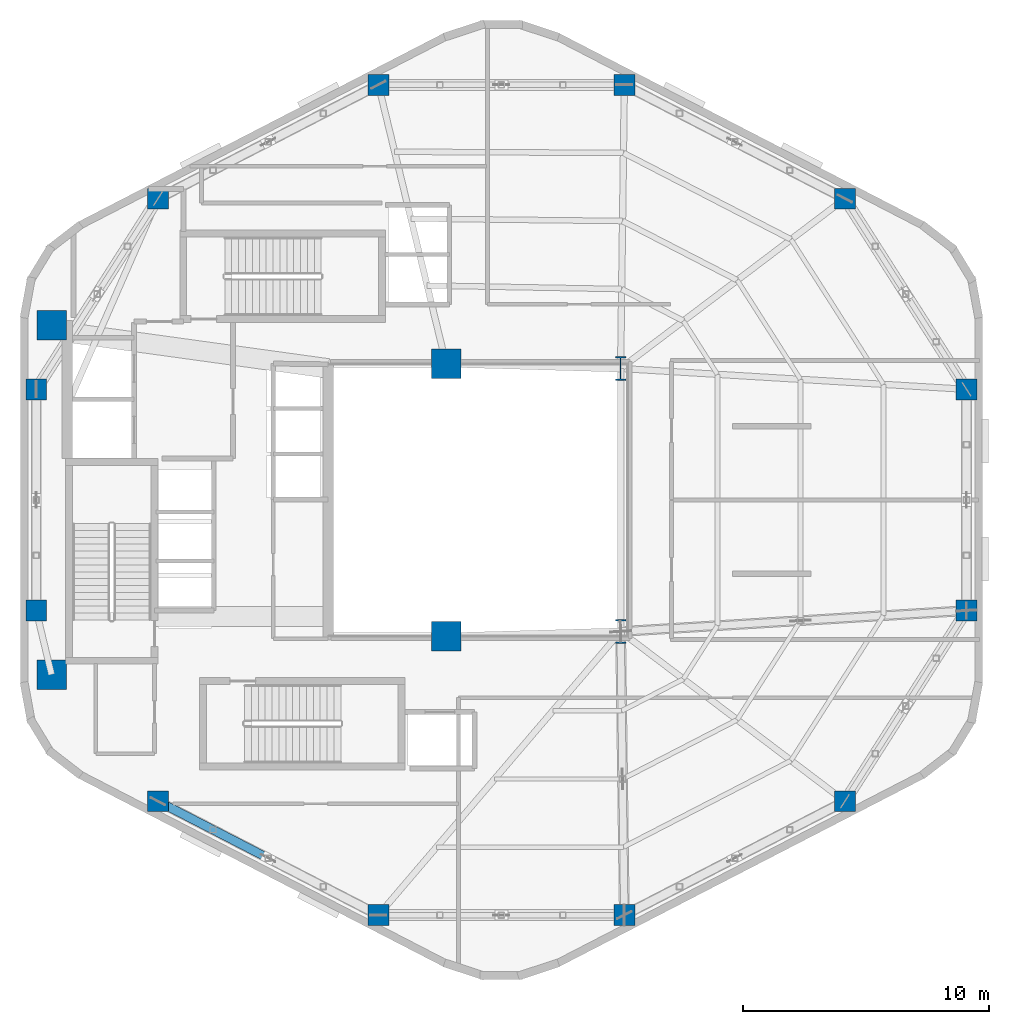
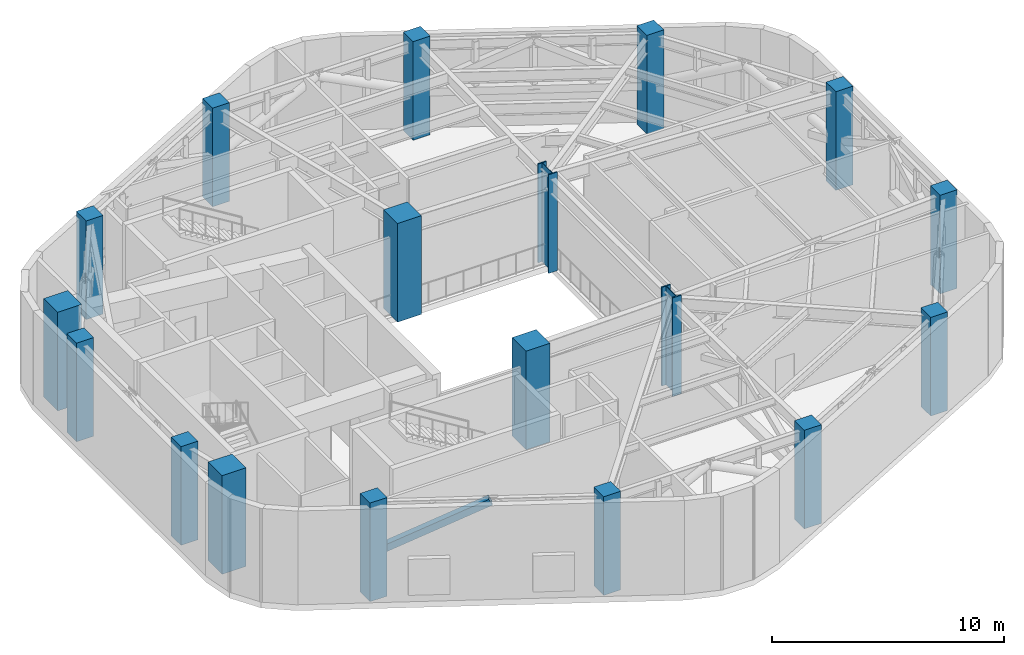
# One storey, part 1 of 10: 18 columns, 1 member.
"""IFC4 building model written with IfcOpenShell, lengths in metres."""

import ifcopenshell
import ifcopenshell.guid

model = None  # the IFC model being written
_history = None  # IfcOwnerHistory: only IFC2X3 demands one
_inside = {}  # id of a spatial element -> (the spatial element, [elements in it])
_under = {}  # id of a project, library or spatial element -> (it, [spatial elements below it])
_declared = {}  # id of a project -> (the project, [libraries it declares])
_typed = {}  # id of a type object -> (the type object, [elements of that type])
_made_of = {}  # id of a material, layer set ... -> (it, [elements and type objects made of it])


def new_model(schema):
    """Start an empty IFC model of exactly this schema.

    Asked for "IFC4X3", IfcOpenShell would pick the latest addendum, in which some entities
    have other attributes; the version numbers below select the first issue.
    IFC2X3 requires an IfcOwnerHistory on every rooted entity: one is made here for all.
    """
    global model, _history
    if schema == "IFC4X3":
        model = ifcopenshell.file(schema_version=(4, 3, 0, 0))
    else:
        model = ifcopenshell.file(schema=schema)
    _inside.clear()
    _under.clear()
    _declared.clear()
    _typed.clear()
    _made_of.clear()
    _history = None
    if model.schema == "IFC2X3":
        org = make("IfcOrganization", Name="unknown")
        user = make(
            "IfcPersonAndOrganization",
            ThePerson=make("IfcPerson", FamilyName="unknown"),
            TheOrganization=org,
        )
        app = make(
            "IfcApplication",
            ApplicationDeveloper=org,
            Version="unknown",
            ApplicationFullName="unknown",
            ApplicationIdentifier="unknown",
        )
        _history = make(
            "IfcOwnerHistory",
            OwningUser=user,
            OwningApplication=app,
            ChangeAction="ADDED",
            CreationDate=0,
        )
    return model


def make(cls, **values):
    """One entity of the class cls with the attributes given. An attribute that is None is left unset."""
    return model.create_entity(
        cls, **{name: value for name, value in values.items() if value is not None}
    )


def rooted(cls, **values):
    """An entity with a GlobalId (a new one), such as an element, a storey or a relation."""
    return make(cls, GlobalId=ifcopenshell.guid.new(), OwnerHistory=_history, **values)


def si_unit(unit_type, name, prefix=None):
    """IfcSIUnit, for example si_unit("LENGTHUNIT", "METRE", prefix="MILLI")."""
    return make("IfcSIUnit", UnitType=unit_type, Prefix=prefix, Name=name)


def assignment(units):
    """IfcUnitAssignment: the units of a project."""
    return None if units is None else make("IfcUnitAssignment", Units=units)


def point(xyz):
    """IfcCartesianPoint."""
    return None if xyz is None else make("IfcCartesianPoint", Coordinates=xyz)


def direction(xyz):
    """IfcDirection."""
    return None if xyz is None else make("IfcDirection", DirectionRatios=xyz)


def frame(location, z_axis=None, x_axis=None):
    """IfcAxis2Placement3D, a coordinate frame: its origin and axes. An axis left out is left unset."""
    return make(
        "IfcAxis2Placement3D",
        Location=point(location),
        Axis=direction(z_axis),
        RefDirection=direction(x_axis),
    )


def frame_2d(location, x_axis=None):
    """IfcAxis2Placement2D, a coordinate frame in the plane: its origin and x axis."""
    return make(
        "IfcAxis2Placement2D", Location=point(location), RefDirection=direction(x_axis)
    )


def origin():
    """The frame at (0, 0, 0) with its axes left unset."""
    return frame((0.0, 0.0, 0.0))


def origin_2d():
    """The frame at (0, 0) in the plane with its x axis left unset."""
    return frame_2d((0.0, 0.0))


def place(relative_to, where):
    """IfcLocalPlacement: puts the frame where relative to a parent placement (None: the world)."""
    return make(
        "IfcLocalPlacement", PlacementRelTo=relative_to, RelativePlacement=where
    )


def context(
    kind, dimensions, precision=None, world=None, true_north=None, identifier=None
):
    """IfcGeometricRepresentationContext, for example the 3D "Model" context."""
    return make(
        "IfcGeometricRepresentationContext",
        ContextIdentifier=identifier,
        ContextType=kind,
        CoordinateSpaceDimension=dimensions,
        Precision=precision,
        WorldCoordinateSystem=world,
        TrueNorth=true_north,
    )


def subcontext(parent, identifier, kind, view, scale=None):
    """IfcGeometricRepresentationSubContext, for example "Body" below "Model"."""
    return make(
        "IfcGeometricRepresentationSubContext",
        ContextIdentifier=identifier,
        ContextType=kind,
        ParentContext=parent,
        TargetScale=scale,
        TargetView=view,
    )


def project(units=None, contexts=None):
    """IfcProject with its units and contexts."""
    return rooted(
        "IfcProject",
        Name="project",
        RepresentationContexts=contexts,
        UnitsInContext=assignment(units),
    )


def spatial(cls, under=None, at=None, **own):
    """A site, building, storey or space (cls), placed at a placement, below another one or the project."""
    s = rooted(cls, ObjectPlacement=at, **own)
    if under is not None:
        _under.setdefault(under.id(), (under, []))[1].append(s)
    return s


def profile(cls, at=None, kind="AREA", **sizes):
    """A parametric profile (cls). Its sizes go by their IFC names, for example OverallWidth=200.0."""
    return make(cls, ProfileType=kind, Position=at, **sizes)


def rectangle(**sizes):
    """IfcRectangleProfileDef."""
    return profile("IfcRectangleProfileDef", **sizes)


def hollow_rectangle(**sizes):
    """IfcRectangleHollowProfileDef."""
    return profile("IfcRectangleHollowProfileDef", **sizes)


def i_section(**sizes):
    """IfcIShapeProfileDef."""
    return profile("IfcIShapeProfileDef", **sizes)


def extrude(swept, where, along, depth):
    """IfcExtrudedAreaSolid: the profile swept, set in the frame where, extruded along a direction by depth."""
    return make(
        "IfcExtrudedAreaSolid",
        SweptArea=swept,
        Position=where,
        ExtrudedDirection=direction(along),
        Depth=depth,
    )


def shape(context_of_items, identifier, shape_type, items):
    """IfcShapeRepresentation: the items that make up one representation, for example the "Body"."""
    return make(
        "IfcShapeRepresentation",
        ContextOfItems=context_of_items,
        RepresentationIdentifier=identifier,
        RepresentationType=shape_type,
        Items=items,
    )


def material(Name=None, Category=None):
    """IfcMaterial."""
    return make("IfcMaterial", Name=Name, Category=Category)


def material_profile(
    of_material, cross_section, Name=None, Category=None, Priority=None
):
    """IfcMaterialProfile: a cross section and its material."""
    return make(
        "IfcMaterialProfile",
        Name=Name,
        Material=of_material,
        Profile=cross_section,
        Priority=Priority,
        Category=Category,
    )


def profile_set(profiles, Name=None, composite=None):
    """IfcMaterialProfileSet."""
    return make(
        "IfcMaterialProfileSet",
        Name=Name,
        MaterialProfiles=profiles,
        CompositeProfile=composite,
    )


def made_of(thing, what):
    """Note that an element or type object is made of a material, layer set ...; save() writes the relation."""
    if what is not None:
        _made_of.setdefault(what.id(), (what, []))[1].append(thing)
    return thing


def type_object(cls, material=None, **own):
    """A type object (cls), such as IfcWallType, which elements share."""
    return made_of(rooted(cls, **own), material)


def element(
    cls,
    number,
    at=None,
    inside=None,
    cuts=None,
    type_object=None,
    material=None,
    context=None,
    identifier="Body",
    shape_type=None,
    held_by="IfcProductDefinitionShape",
    body=None,
    shapes=None,
    **own,
):
    """One element of the class cls, such as IfcWall. Its Tag is "e" and its number.

    at: its placement. inside: the storey or other place that contains it. cuts: it is an
    opening in that element (IfcRelVoidsElement). A single representation is given by context,
    identifier, shape_type and body (its items); several are given by shapes. held_by: the class
    of the entity that holds the representations. save() writes the other relations.
    """
    e = rooted(cls, Tag="e%d" % number, ObjectPlacement=at, **own)
    if body is not None:
        shapes = [shape(context, identifier, shape_type, body)]
    if shapes is not None:
        e.Representation = make(held_by, Representations=shapes)
    if inside is not None:
        _inside.setdefault(inside.id(), (inside, []))[1].append(e)
    if cuts is not None:
        rooted(
            "IfcRelVoidsElement", RelatingBuildingElement=cuts, RelatedOpeningElement=e
        )
    if type_object is not None:
        _typed.setdefault(type_object.id(), (type_object, []))[1].append(e)
    return made_of(e, material)


def aggregate(whole, parts):
    """IfcRelAggregates: a whole, such as a stair, and the parts it consists of."""
    return rooted("IfcRelAggregates", RelatingObject=whole, RelatedObjects=parts)


def save(model, path):
    """Write the relations noted so far, then the file.

    IfcRelAggregates (storeys below a building ...), IfcRelContainedInSpatialStructure (elements
    in a storey), IfcRelDefinesByType, IfcRelAssociatesMaterial and IfcRelDeclares: one each for
    every whole, place, type object, material and project.
    """
    for whole, parts in _under.values():
        aggregate(whole, parts)
    for where, things in _inside.values():
        rooted(
            "IfcRelContainedInSpatialStructure",
            RelatedElements=things,
            RelatingStructure=where,
        )
    for kind, things in _typed.values():
        rooted("IfcRelDefinesByType", RelatedObjects=things, RelatingType=kind)
    for what, things in _made_of.values():
        rooted("IfcRelAssociatesMaterial", RelatedObjects=things, RelatingMaterial=what)
    for by, libraries in _declared.values():
        rooted("IfcRelDeclares", RelatingContext=by, RelatedDefinitions=libraries)
    model.write(path)


model = new_model("IFC4")

# Units and contexts
model_context = context("Model", 3, precision=1e-05, world=origin(), true_north=direction((0.0, 1.0)))
body_context = subcontext(model_context, "Body", "Model", "MODEL_VIEW")
ifc_project = project(units=[si_unit("LENGTHUNIT", "METRE"), si_unit("AREAUNIT", "SQUARE_METRE"), si_unit("VOLUMEUNIT", "CUBIC_METRE"), si_unit("PLANEANGLEUNIT", "RADIAN"), si_unit("MASSUNIT", "GRAM", prefix="KILO"), si_unit("THERMODYNAMICTEMPERATUREUNIT", "KELVIN"), si_unit("POWERUNIT", "WATT")], contexts=[model_context])

# Site, building, storey
site_placement = place(None, origin())
site = spatial("IfcSite", under=ifc_project, at=site_placement, CompositionType="ELEMENT")
building_placement = place(site_placement, origin())
building = spatial("IfcBuilding", under=site, at=building_placement, Name="Skarre Station Tower", CompositionType="ELEMENT")
storey_placement = place(building_placement, frame((0.0, 0.0, 191.25)))
storey = spatial("IfcBuildingStorey", under=building, at=storey_placement, Name="L52", CompositionType="ELEMENT", Elevation=191.25)

# Columns
ifc_material_1 = material(Name="Concrete C60/75", Category="concrete")
ifc_material_profile_1 = material_profile(ifc_material_1, rectangle(XDim=1.199951171875, YDim=1.199951171875, at=origin_2d()), Name="Concrete C60/75")
ifc_profile_set_1 = profile_set([ifc_material_profile_1], Name="Concrete C60/75")
column_type_1 = type_object("IfcColumnType", Name="RC Structural Column RC-COL-1200X1200", PredefinedType="COLUMN", material=ifc_profile_set_1)
for number, where, z_axis, x_axis, name in (
    (1, (16.300048828125, 16.89990234375, 0.0), (0.0, 0.0, 1.0), (1.0, 0.0, 0.0), "L52 Core Column CC-SW"),
    (2, (16.300048828125, 31.10009765625, 0.0), (0.0, 0.0, 1.0), (1.0, 0.0, 0.0), "L52 Core Column CC-NW"),
    (3, (32.35009765625, 18.449951171875, 0.0), (0.0, 0.0, 1.0), (1.0, 0.0, 0.0), "L52 Core Column CC-SE"),
    (4, (32.35009765625, 29.550048828125, 0.0), (0.0, 0.0, 1.0), (1.0, 0.0, 0.0), "L52 Core Column CC-NE"),
):
    element("IfcColumn", number, at=place(storey_placement, frame(where, z_axis=z_axis, x_axis=x_axis)), inside=storey, type_object=column_type_1, Name=name, PredefinedType="COLUMN", context=body_context, shape_type="SweptSolid", body=[
        extrude(rectangle(XDim=1.199951171875, YDim=1.199951171875, at=origin_2d()), origin(), (0.0, 0.0, 1.0), 5.199951171875),
    ])
ifc_material_2 = material(Name="Concrete C50/60", Category="concrete")
ifc_material_profile_2 = material_profile(ifc_material_2, rectangle(XDim=0.85009765625, YDim=0.85009765625, at=origin_2d()), Name="Concrete C50/60")
ifc_profile_set_2 = profile_set([ifc_material_profile_2], Name="Concrete C50/60")
column_type_2 = type_object("IfcColumnType", Name="RC Structural Column RC-COL-850X850", PredefinedType="COLUMN", material=ifc_profile_set_2)
for number, where, z_axis, x_axis, name in (
    (5, (48.573974609375, 36.257080078125, 0.0), (0.0, 0.0, 1.0), (1.0, 0.0, 0.0), "L52 Zone 3 Perimeter Column F0C1"),
    (6, (39.60205078125, 40.887939453125, 0.0), (0.0, 0.0, 1.0), (1.0, 0.0, 0.0), "L52 Zone 3 Perimeter Column F0C2"),
    (7, (29.597900390625, 40.887939453125, 0.0), (0.0, 0.0, 1.0), (1.0, 0.0, 0.0), "L52 Zone 3 Perimeter Column F1C1"),
    (8, (20.6259765625, 36.257080078125, 0.0), (0.0, 0.0, 1.0), (1.0, 0.0, 0.0), "L52 Zone 3 Perimeter Column F1C2"),
    (9, (15.677978515625, 28.5009765625, 0.0), (0.0, 0.0, 1.0), (1.0, 0.0, 0.0), "L52 Zone 3 Perimeter Column F2C1"),
    (10, (15.677978515625, 19.4990234375, 0.0), (0.0, 0.0, 1.0), (1.0, 0.0, 0.0), "L52 Zone 3 Perimeter Column F2C2"),
    (11, (20.6259765625, 11.742919921875, 0.0), (0.0, 0.0, 1.0), (1.0, 0.0, 0.0), "L52 Zone 3 Perimeter Column F3C1"),
    (12, (29.597900390625, 7.112060546875, 0.0), (0.0, 0.0, 1.0), (1.0, 0.0, 0.0), "L52 Zone 3 Perimeter Column F3C2"),
    (13, (39.60205078125, 7.112060546875, 0.0), (0.0, 0.0, 1.0), (1.0, 0.0, 0.0), "L52 Zone 3 Perimeter Column F4C1"),
    (14, (48.573974609375, 11.742919921875, 0.0), (0.0, 0.0, 1.0), (1.0, 0.0, 0.0), "L52 Zone 3 Perimeter Column F4C2"),
    (15, (53.52197265625, 19.4990234375, 0.0), (0.0, 0.0, 1.0), (1.0, 0.0, 0.0), "L52 Zone 3 Perimeter Column F5C1"),
    (16, (53.52197265625, 28.5009765625, 0.0), (0.0, 0.0, 1.0), (1.0, 0.0, 0.0), "L52 Zone 3 Perimeter Column F5C2"),
):
    element("IfcColumn", number, at=place(storey_placement, frame(where, z_axis=z_axis, x_axis=x_axis)), inside=storey, type_object=column_type_2, Name=name, PredefinedType="COLUMN", context=body_context, shape_type="SweptSolid", body=[
        extrude(rectangle(XDim=0.85009765625, YDim=0.85009765625, at=origin_2d()), origin(), (0.0, 0.0, 1.0), 5.199951171875),
    ])
ifc_material_3 = material(Name="Steel ASTM A913 Grade 65", Category="steel")
ifc_material_profile_3 = material_profile(ifc_material_3, i_section(OverallWidth=0.430908203125, OverallDepth=0.987060546875, WebThickness=0.033935546875, FlangeThickness=0.06201171875, at=origin_2d()), Name="Steel ASTM A913 Grade 65")
ifc_profile_set_3 = profile_set([ifc_material_profile_3], Name="Steel ASTM A913 Grade 65")
column_type_3 = type_object("IfcColumnType", Name="Steel Column W36X441", PredefinedType="COLUMN", material=ifc_profile_set_3)
for number, where, z_axis, x_axis, name in (
    (17, (39.449951171875, 18.64990234375, 0.0), (0.0, 0.0, 1.0), (1.0, 0.0, 0.0), "L52 Atrium Spine Column AC-SE"),
    (18, (39.449951171875, 29.35009765625, 0.0), (0.0, 0.0, 1.0), (1.0, 0.0, 0.0), "L52 Atrium Spine Column AC-NE"),
):
    element("IfcColumn", number, at=place(storey_placement, frame(where, z_axis=z_axis, x_axis=x_axis)), inside=storey, type_object=column_type_3, Name=name, PredefinedType="COLUMN", context=body_context, shape_type="SweptSolid", body=[
        extrude(i_section(OverallWidth=0.430908203125, OverallDepth=0.987060546875, WebThickness=0.033935546875, FlangeThickness=0.06201171875, at=origin_2d()), origin(), (0.0, 0.0, 1.0), 5.199951171875),
    ])

# Member
ifc_material_4 = material(Name="Steel ASTM A500 Grade C", Category="steel")
ifc_material_profile_4 = material_profile(ifc_material_4, hollow_rectangle(XDim=0.35009765625, YDim=0.35009765625, WallThickness=0.02001953125, at=origin_2d()), Name="Steel ASTM A500 Grade C")
ifc_profile_set_4 = profile_set([ifc_material_profile_4], Name="Steel ASTM A500 Grade C")
member_type = type_object("IfcMemberType", Name="Steel Truss Brace HSS350X350X20", PredefinedType="BRACE", material=ifc_profile_set_4)
member_placement = place(storey_placement, frame((20.6259765625, 11.742919921875, 2.25), z_axis=(0.793833036045, -0.409639447498, 0.449471505144), x_axis=(0.458571467637, 0.888657531937, 0.0)))
element("IfcMember", 19, at=member_placement, inside=storey, type_object=member_type, Name="L52 Belt Truss Chevron Diagonal 7A", PredefinedType="BRACE", context=body_context, shape_type="SweptSolid", body=[
    extrude(hollow_rectangle(XDim=0.35009765625, YDim=0.35009765625, WallThickness=0.02001953125, at=origin_2d()), origin(), (0.0, 0.0, 1.0), 5.651123046875),
])

save(model, "model.ifc")
